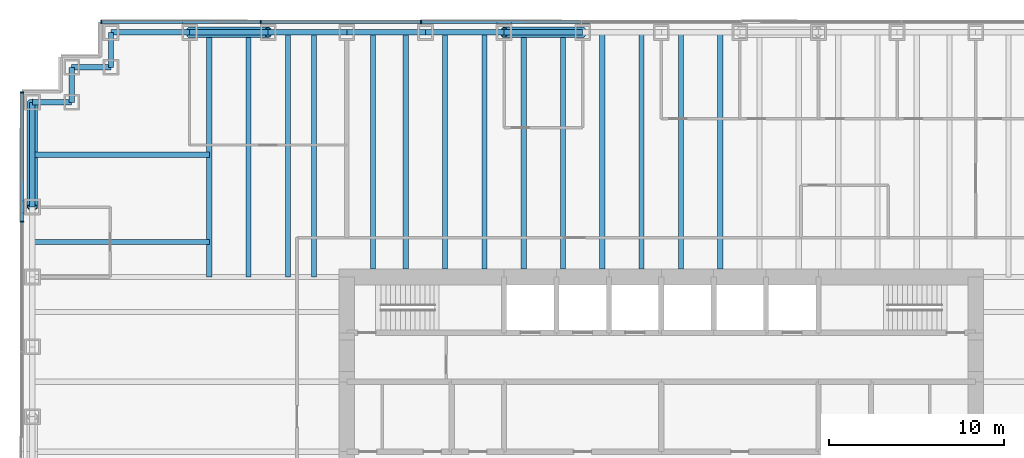
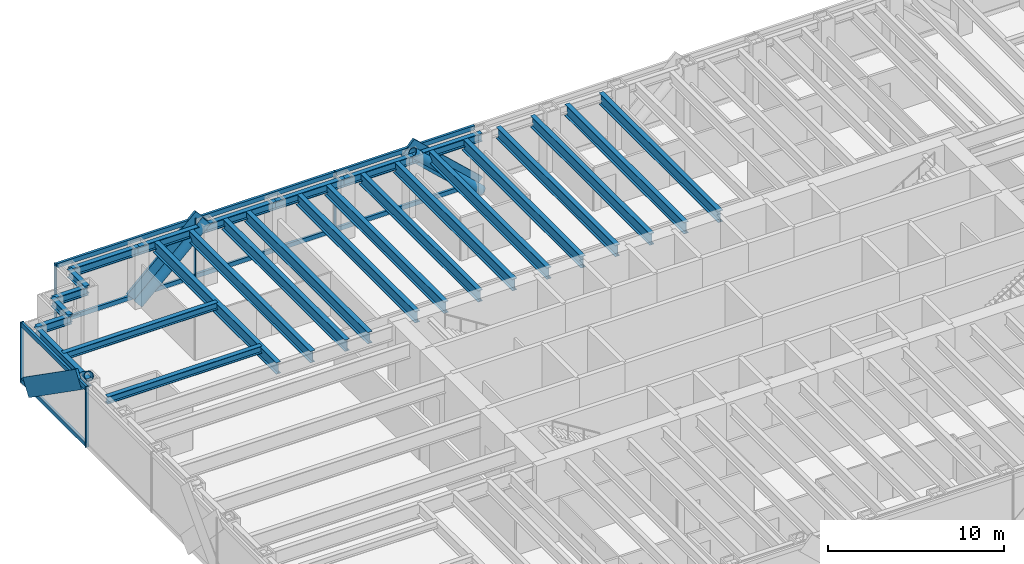
# One storey, part 6 of 17: 27 beams, 19 members, 2 elements without a shape of their own.
"""IFC4 building model written with IfcOpenShell, lengths in metres."""

from ifc_helpers import new_model, si_unit, direction, frame, origin, origin_2d, place, context, subcontext, project, spatial, rectangle, hollow_circle, i_section, extrude, material, material_profile, profile_set, type_object, element, aggregate, save


model = new_model("IFC4")

# Units and contexts
model_context = context("Model", 3, precision=1e-05, world=origin(), true_north=direction((0.0, 1.0)))
body_context = subcontext(model_context, "Body", "Model", "MODEL_VIEW")
ifc_project = project(units=[si_unit("LENGTHUNIT", "METRE"), si_unit("AREAUNIT", "SQUARE_METRE"), si_unit("VOLUMEUNIT", "CUBIC_METRE"), si_unit("PLANEANGLEUNIT", "RADIAN"), si_unit("MASSUNIT", "GRAM", prefix="KILO")], contexts=[model_context])

# Site, building, storey
site_placement = place(None, origin())
site = spatial("IfcSite", under=ifc_project, at=site_placement, CompositionType="ELEMENT")
building_placement = place(site_placement, origin())
building = spatial("IfcBuilding", under=site, at=building_placement, Name="Rheinbord Bourse Tower", CompositionType="ELEMENT")
storey_placement = place(building_placement, frame((0.0, 0.0, 159.300048828125)))
storey = spatial("IfcBuildingStorey", under=building, at=storey_placement, Name="L35", CompositionType="ELEMENT", Elevation=159.300048828125)

# Curtain wall, members
ifc_material_1 = material(Name="Dark glass and black aluminium", Category="aluminium")
curtain_wall_type = type_object("IfcCurtainWallType", Name="CW2 DARK GLASS CURTAIN WALL", PredefinedType="USERDEFINED", material=ifc_material_1)
curtain_wall_1_placement = place(storey_placement, origin())
curtain_wall_1 = element("IfcCurtainWall", 1, at=curtain_wall_1_placement, inside=storey, type_object=curtain_wall_type, Name="Curtain wall CW2 N L35", ObjectType="UNITISED CURTAIN WALL", PredefinedType="USERDEFINED")
ifc_material_2 = material(Name="Black anodised aluminium", Category="aluminium")
ifc_material_profile_1 = material_profile(ifc_material_2, rectangle(XDim=0.159912109375, YDim=1.2099609375, at=origin_2d()), Name="CW2 DIAGONAL MULLION 1210x160")
ifc_profile_set_1 = profile_set([ifc_material_profile_1], Name="Black anodised aluminium")
member_type_1 = type_object("IfcMemberType", Name="CW2 BLACK DIAGONAL MULLION", PredefinedType="USERDEFINED", material=ifc_profile_set_1)
member_1_placement = place(storey_placement, frame((31.5, 46.60009765625, 0.0), z_axis=(-0.73105922506, 0.0, 0.682314010889), x_axis=(0.0, -1.0, 0.0)))
member_1 = element("IfcMember", 2, at=member_1_placement, type_object=member_type_1, Name="CW2 diagonal mullion b", ObjectType="DIAGONAL MULLION", PredefinedType="USERDEFINED", context=body_context, shape_type="SweptSolid", body=[
    extrude(rectangle(XDim=0.159912109375, YDim=1.2099609375, at=origin_2d()), origin(), (0.0, 0.0, 1.0), 6.155517578125),
])
member_2_placement = place(storey_placement, frame((9.0, 46.60009765625, 0.0), z_axis=(0.73105922506, 0.0, 0.682314010889), x_axis=(0.0, 1.0, 0.0)))
member_2 = element("IfcMember", 3, at=member_2_placement, type_object=member_type_1, Name="CW2 diagonal mullion d", ObjectType="DIAGONAL MULLION", PredefinedType="USERDEFINED", context=body_context, shape_type="SweptSolid", body=[
    extrude(rectangle(XDim=0.159912109375, YDim=1.2099609375, at=origin_2d()), origin(), (0.0, 0.0, 1.0), 6.155517578125),
])

# Curtain wall, member
curtain_wall_2_placement = place(storey_placement, origin())
curtain_wall_2 = element("IfcCurtainWall", 4, at=curtain_wall_2_placement, inside=storey, type_object=curtain_wall_type, Name="Curtain wall CW2 W L35", ObjectType="UNITISED CURTAIN WALL", PredefinedType="USERDEFINED")
member_3_placement = place(storey_placement, frame((-0.60009765625, 42.0, 0.0), z_axis=(0.0, -0.819235052632, 0.57345786989), x_axis=(1.0, 0.0, 0.0)))
member_3 = element("IfcMember", 5, at=member_3_placement, type_object=member_type_1, Name="CW2 diagonal mullion b", ObjectType="DIAGONAL MULLION", PredefinedType="USERDEFINED", context=body_context, shape_type="SweptSolid", body=[
    extrude(rectangle(XDim=0.159912109375, YDim=1.2099609375, at=origin_2d()), origin(), (0.0, 0.0, 1.0), 7.323974609375),
])

# Member
ifc_material_3 = material(Name="Black anodised aluminium", Category="aluminium")
ifc_material_profile_2 = material_profile(ifc_material_3, rectangle(XDim=0.219970703125, YDim=0.070068359375, at=origin_2d()), Name="CW2 MULLION 70x220")
ifc_profile_set_2 = profile_set([ifc_material_profile_2], Name="Black anodised aluminium")
member_type_2 = type_object("IfcMemberType", Name="CW2 BLACK MULLION", PredefinedType="MULLION", material=ifc_profile_set_2)
member_4_placement = place(storey_placement, frame((22.242919921875, 46.60009765625, 0.0), z_axis=(0.0, 0.0, 1.0), x_axis=(0.0, -1.0, 0.0)))
member_4 = element("IfcMember", 6, at=member_4_placement, type_object=member_type_2, Name="CW2 mullion 6", PredefinedType="MULLION", context=body_context, shape_type="SweptSolid", body=[
    extrude(rectangle(XDim=0.219970703125, YDim=0.070068359375, at=origin_2d()), origin(), (0.0, 0.0, 1.0), 4.199951171875),
])

member_5_placement = place(storey_placement, frame((13.071533203125, 46.60009765625, 0.0), z_axis=(0.0, 0.0, 1.0), x_axis=(0.0, -1.0, 0.0)))
member_5 = element("IfcMember", 7, at=member_5_placement, type_object=member_type_2, Name="CW2 mullion 7", PredefinedType="MULLION", context=body_context, shape_type="SweptSolid", body=[
    extrude(rectangle(XDim=0.219970703125, YDim=0.070068359375, at=origin_2d()), origin(), (0.0, 0.0, 1.0), 4.199951171875),
])

member_6_placement = place(storey_placement, frame((3.93505859375, 46.60009765625, 0.0), z_axis=(0.0, 0.0, 1.0), x_axis=(0.0, -1.0, 0.0)))
member_6 = element("IfcMember", 8, at=member_6_placement, type_object=member_type_2, Name="CW2 mullion 8", PredefinedType="MULLION", context=body_context, shape_type="SweptSolid", body=[
    extrude(rectangle(XDim=0.219970703125, YDim=0.070068359375, at=origin_2d()), origin(), (0.0, 0.0, 1.0), 4.199951171875),
])

member_7_placement = place(storey_placement, frame((-0.60009765625, 42.56494140625, 0.0), z_axis=(0.0, 0.0, 1.0), x_axis=(1.0, 0.0, 0.0)))
member_7 = element("IfcMember", 9, at=member_7_placement, type_object=member_type_2, Name="CW2 mullion 1", PredefinedType="MULLION", context=body_context, shape_type="SweptSolid", body=[
    extrude(rectangle(XDim=0.219970703125, YDim=0.070068359375, at=origin_2d()), origin(), (0.0, 0.0, 1.0), 4.199951171875),
])

member_8_placement = place(storey_placement, frame((-0.60009765625, 35.159912109375, 0.0), z_axis=(0.0, 0.0, 1.0), x_axis=(1.0, 0.0, 0.0)))
member_8 = element("IfcMember", 10, at=member_8_placement, type_object=member_type_2, Name="CW2 mullion 2", PredefinedType="MULLION", context=body_context, shape_type="SweptSolid", body=[
    extrude(rectangle(XDim=0.219970703125, YDim=0.070068359375, at=origin_2d()), origin(), (0.0, 0.0, 1.0), 4.199951171875),
])

ifc_material_4 = material(Name="Black anodised aluminium", Category="aluminium")
ifc_material_profile_3 = material_profile(ifc_material_4, rectangle(XDim=0.159912109375, YDim=0.300048828125, at=origin_2d()), Name="CW2 TRANSOM 300x160")
ifc_profile_set_3 = profile_set([ifc_material_profile_3], Name="Black anodised aluminium")
member_type_3 = type_object("IfcMemberType", Name="CW2 BLACK TRANSOM", PredefinedType="USERDEFINED", material=ifc_profile_set_3)
member_9_placement = place(storey_placement, frame((31.37939453125, 46.60009765625, 0.14990234375), z_axis=(-1.0, 0.0, 0.0), x_axis=(0.0, -1.0, 0.0)))
member_9 = element("IfcMember", 11, at=member_9_placement, type_object=member_type_3, Name="CW2 transom 5.1", ObjectType="TRANSOM", PredefinedType="USERDEFINED", context=body_context, shape_type="SweptSolid", body=[
    extrude(rectangle(XDim=0.159912109375, YDim=0.300048828125, at=origin_2d()), origin(), (0.0, 0.0, 1.0), 9.1015625),
])

member_10_placement = place(storey_placement, frame((31.37939453125, 46.60009765625, 4.050048828125), z_axis=(-1.0, 0.0, 0.0), x_axis=(0.0, -1.0, 0.0)))
member_10 = element("IfcMember", 12, at=member_10_placement, type_object=member_type_3, Name="CW2 transom 5.2", ObjectType="TRANSOM", PredefinedType="USERDEFINED", context=body_context, shape_type="SweptSolid", body=[
    extrude(rectangle(XDim=0.159912109375, YDim=0.300048828125, at=origin_2d()), origin(), (0.0, 0.0, 1.0), 9.1015625),
])

member_11_placement = place(storey_placement, frame((22.207763671875, 46.60009765625, 0.14990234375), z_axis=(-1.0, 0.0, 0.0), x_axis=(0.0, -1.0, 0.0)))
member_11 = element("IfcMember", 13, at=member_11_placement, type_object=member_type_3, Name="CW2 transom 6.1", ObjectType="TRANSOM", PredefinedType="USERDEFINED", context=body_context, shape_type="SweptSolid", body=[
    extrude(rectangle(XDim=0.159912109375, YDim=0.300048828125, at=origin_2d()), origin(), (0.0, 0.0, 1.0), 9.101318359375),
])

member_12_placement = place(storey_placement, frame((22.207763671875, 46.60009765625, 4.050048828125), z_axis=(-1.0, 0.0, 0.0), x_axis=(0.0, -1.0, 0.0)))
member_12 = element("IfcMember", 14, at=member_12_placement, type_object=member_type_3, Name="CW2 transom 6.2", ObjectType="TRANSOM", PredefinedType="USERDEFINED", context=body_context, shape_type="SweptSolid", body=[
    extrude(rectangle(XDim=0.159912109375, YDim=0.300048828125, at=origin_2d()), origin(), (0.0, 0.0, 1.0), 9.101318359375),
])

member_13_placement = place(storey_placement, frame((13.036376953125, 46.60009765625, 0.14990234375), z_axis=(-1.0, 0.0, 0.0), x_axis=(0.0, -1.0, 0.0)))
member_13 = element("IfcMember", 15, at=member_13_placement, type_object=member_type_3, Name="CW2 transom 7.1", ObjectType="TRANSOM", PredefinedType="USERDEFINED", context=body_context, shape_type="SweptSolid", body=[
    extrude(rectangle(XDim=0.159912109375, YDim=0.300048828125, at=origin_2d()), origin(), (0.0, 0.0, 1.0), 9.06640625),
])

member_14_placement = place(storey_placement, frame((13.036376953125, 46.60009765625, 4.050048828125), z_axis=(-1.0, 0.0, 0.0), x_axis=(0.0, -1.0, 0.0)))
member_14 = element("IfcMember", 16, at=member_14_placement, type_object=member_type_3, Name="CW2 transom 7.2", ObjectType="TRANSOM", PredefinedType="USERDEFINED", context=body_context, shape_type="SweptSolid", body=[
    extrude(rectangle(XDim=0.159912109375, YDim=0.300048828125, at=origin_2d()), origin(), (0.0, 0.0, 1.0), 9.06640625),
])

aggregate(curtain_wall_1, [member_4, member_5, member_6, member_9, member_10, member_11, member_12, member_13, member_14, member_1, member_2])

member_15_placement = place(storey_placement, frame((-0.60009765625, 42.530029296875, 0.14990234375), z_axis=(0.0, -1.0, 0.0), x_axis=(1.0, 0.0, 0.0)))
member_15 = element("IfcMember", 17, at=member_15_placement, type_object=member_type_3, Name="CW2 transom 1.1", ObjectType="TRANSOM", PredefinedType="USERDEFINED", context=body_context, shape_type="SweptSolid", body=[
    extrude(rectangle(XDim=0.159912109375, YDim=0.300048828125, at=origin_2d()), origin(), (0.0, 0.0, 1.0), 7.3349609375),
])

member_16_placement = place(storey_placement, frame((-0.60009765625, 42.530029296875, 4.050048828125), z_axis=(0.0, -1.0, 0.0), x_axis=(1.0, 0.0, 0.0)))
member_16 = element("IfcMember", 18, at=member_16_placement, type_object=member_type_3, Name="CW2 transom 1.2", ObjectType="TRANSOM", PredefinedType="USERDEFINED", context=body_context, shape_type="SweptSolid", body=[
    extrude(rectangle(XDim=0.159912109375, YDim=0.300048828125, at=origin_2d()), origin(), (0.0, 0.0, 1.0), 7.3349609375),
])

aggregate(curtain_wall_2, [member_7, member_8, member_15, member_16, member_3])

# Beams
ifc_material_5 = material(Name="Steel S460", Category="steel")
ifc_material_profile_4 = material_profile(ifc_material_5, i_section(OverallWidth=0.300048828125, OverallDepth=0.800048828125, WebThickness=0.017578125, FlangeThickness=0.032958984375, at=origin_2d()), Name="HEB 800")
ifc_profile_set_4 = profile_set([ifc_material_profile_4], Name="Steel S460")
beam_type_1 = type_object("IfcBeamType", Name="FLOOR BEAM HEB 800", PredefinedType="BEAM", material=ifc_profile_set_4)
for number, where, z_axis, x_axis, name in (
    (19, (10.125, 46.0, 3.639892578125), (0.0, -1.0, 0.0), (1.0, 0.0, 0.0), "Floor beam N-9a L36"),
    (20, (12.375, 46.0, 3.639892578125), (0.0, -1.0, 0.0), (1.0, 0.0, 0.0), "Floor beam N-9b L36"),
    (21, (14.625, 46.0, 3.639892578125), (0.0, -1.0, 0.0), (1.0, 0.0, 0.0), "Floor beam N-13.5a L36"),
    (22, (16.125, 46.0, 3.639892578125), (0.0, -1.0, 0.0), (1.0, 0.0, 0.0), "Floor beam N-13.5b L36"),
):
    element("IfcBeam", number, at=place(storey_placement, frame(where, z_axis=z_axis, x_axis=x_axis)), inside=storey, type_object=beam_type_1, Name=name, PredefinedType="BEAM", context=body_context, shape_type="SweptSolid", body=[
        extrude(i_section(OverallWidth=0.300048828125, OverallDepth=0.800048828125, WebThickness=0.017578125, FlangeThickness=0.032958984375, at=origin_2d()), origin(), (0.0, 0.0, 1.0), 14.0),
    ])
for number, where, z_axis, x_axis, name in (
    (23, (19.5, 46.0, 3.639892578125), (0.0, -1.0, 0.0), (1.0, 0.0, 0.0), "Floor beam N-18a L36"),
    (24, (21.375, 46.0, 3.639892578125), (0.0, -1.0, 0.0), (1.0, 0.0, 0.0), "Floor beam N-18b L36"),
    (25, (23.625, 46.0, 3.639892578125), (0.0, -1.0, 0.0), (1.0, 0.0, 0.0), "Floor beam N-22.5a L36"),
    (26, (25.875, 46.0, 3.639892578125), (0.0, -1.0, 0.0), (1.0, 0.0, 0.0), "Floor beam N-22.5b L36"),
    (27, (28.125, 46.0, 3.639892578125), (0.0, -1.0, 0.0), (1.0, 0.0, 0.0), "Floor beam N-27a L36"),
    (28, (30.375, 46.0, 3.639892578125), (0.0, -1.0, 0.0), (1.0, 0.0, 0.0), "Floor beam N-27b L36"),
    (29, (32.625, 46.0, 3.639892578125), (0.0, -1.0, 0.0), (1.0, 0.0, 0.0), "Floor beam N-31.5a L36"),
    (30, (34.875, 46.0, 3.639892578125), (0.0, -1.0, 0.0), (1.0, 0.0, 0.0), "Floor beam N-31.5b L36"),
    (31, (37.125, 46.0, 3.639892578125), (0.0, -1.0, 0.0), (1.0, 0.0, 0.0), "Floor beam N-36a L36"),
    (32, (39.375, 46.0, 3.639892578125), (0.0, -1.0, 0.0), (1.0, 0.0, 0.0), "Floor beam N-36b L36"),
):
    element("IfcBeam", number, at=place(storey_placement, frame(where, z_axis=z_axis, x_axis=x_axis)), inside=storey, type_object=beam_type_1, Name=name, PredefinedType="BEAM", context=body_context, shape_type="SweptSolid", body=[
        extrude(i_section(OverallWidth=0.300048828125, OverallDepth=0.800048828125, WebThickness=0.017578125, FlangeThickness=0.032958984375, at=origin_2d()), origin(), (0.0, 0.0, 1.0), 13.550048828125),
    ])

# Members
ifc_material_6 = material(Name="Steel S460", Category="steel")
ifc_material_profile_5 = material_profile(ifc_material_6, hollow_circle(Radius=0.304931640625, WallThickness=0.0400390625, at=origin_2d()), Name="CHS 610x40")
ifc_profile_set_5 = profile_set([ifc_material_profile_5], Name="Steel S460")
member_type_4 = type_object("IfcMemberType", Name="MEGABRACE CHS 610x40", PredefinedType="BRACE", material=ifc_profile_set_5)
for number, where, z_axis, x_axis, name in (
    (33, (31.5, 46.0, 0.0), (-0.73105922506, 0.0, 0.682314010889), (0.0, -1.0, 0.0), "Megabrace N face line b L35"),
    (34, (9.0, 46.0, 0.0), (0.73105922506, 0.0, 0.682314010889), (0.0, 1.0, 0.0), "Megabrace N face line d L35"),
):
    element("IfcMember", number, at=place(storey_placement, frame(where, z_axis=z_axis, x_axis=x_axis)), inside=storey, type_object=member_type_4, Name=name, PredefinedType="BRACE", context=body_context, shape_type="SweptSolid", body=[
        extrude(hollow_circle(Radius=0.304931640625, WallThickness=0.0400390625, at=origin_2d()), origin(), (0.0, 0.0, 1.0), 6.155517578125),
    ])
member_17_placement = place(storey_placement, frame((0.0, 42.0, 0.0), z_axis=(0.0, -0.819235052632, 0.57345786989), x_axis=(1.0, 0.0, 0.0)))
element("IfcMember", 35, at=member_17_placement, inside=storey, type_object=member_type_4, Name="Megabrace W face line b L35", PredefinedType="BRACE", context=body_context, shape_type="SweptSolid", body=[
    extrude(hollow_circle(Radius=0.304931640625, WallThickness=0.0400390625, at=origin_2d()), origin(), (0.0, 0.0, 1.0), 7.323974609375),
])

# Beams
ifc_material_7 = material(Name="Steel S460", Category="steel")
ifc_material_profile_6 = material_profile(ifc_material_7, i_section(OverallWidth=0.305908203125, OverallDepth=0.572021484375, WebThickness=0.02099609375, FlangeThickness=0.0400390625, at=origin_2d()), Name="HEM 550")
ifc_profile_set_6 = profile_set([ifc_material_profile_6], Name="Steel S460")
beam_type_2 = type_object("IfcBeamType", Name="SPANDREL HEM 550", PredefinedType="SPANDREL", material=ifc_profile_set_6)
for number, where, z_axis, x_axis, name in (
    (36, (31.5, 46.0, 3.75390625), (-1.0, 0.0, 0.0), (0.0, -1.0, 0.0), "Spandrel N-31.5-N-27 under L36"),
    (37, (27.0, 46.0, 3.75390625), (-1.0, 0.0, 0.0), (0.0, -1.0, 0.0), "Spandrel N-27-N-22.5 under L36"),
    (38, (22.5, 46.0, 3.75390625), (-1.0, 0.0, 0.0), (0.0, -1.0, 0.0), "Spandrel N-22.5-N-18 under L36"),
    (39, (18.0, 46.0, 3.75390625), (-1.0, 0.0, 0.0), (0.0, -1.0, 0.0), "Spandrel N-18-N-13.5 under L36"),
    (40, (13.5, 46.0, 3.75390625), (-1.0, 0.0, 0.0), (0.0, -1.0, 0.0), "Spandrel N-13.5-N-9 under L36"),
    (41, (9.0, 46.0, 3.75390625), (-1.0, 0.0, 0.0), (0.0, -1.0, 0.0), "Spandrel N-9-NW-E under L36"),
):
    element("IfcBeam", number, at=place(storey_placement, frame(where, z_axis=z_axis, x_axis=x_axis)), inside=storey, type_object=beam_type_2, Name=name, PredefinedType="SPANDREL", context=body_context, shape_type="SweptSolid", body=[
        extrude(i_section(OverallWidth=0.305908203125, OverallDepth=0.572021484375, WebThickness=0.02099609375, FlangeThickness=0.0400390625, at=origin_2d()), origin(), (0.0, 0.0, 1.0), 4.5),
    ])
beam_1_placement = place(storey_placement, frame((4.5, 46.0, 3.75390625), z_axis=(0.0, -1.0, 0.0), x_axis=(1.0, 0.0, 0.0)))
element("IfcBeam", 42, at=beam_1_placement, inside=storey, type_object=beam_type_2, Name="Spandrel NW-E-NW-D under L36", PredefinedType="SPANDREL", context=body_context, shape_type="SweptSolid", body=[
    extrude(i_section(OverallWidth=0.305908203125, OverallDepth=0.572021484375, WebThickness=0.02099609375, FlangeThickness=0.0400390625, at=origin_2d()), origin(), (0.0, 0.0, 1.0), 2.0),
])
beam_2_placement = place(storey_placement, frame((4.5, 44.0, 3.75390625), z_axis=(-1.0, 0.0, 0.0), x_axis=(0.0, -1.0, 0.0)))
element("IfcBeam", 43, at=beam_2_placement, inside=storey, type_object=beam_type_2, Name="Spandrel NW-D-NW-C under L36", PredefinedType="SPANDREL", context=body_context, shape_type="SweptSolid", body=[
    extrude(i_section(OverallWidth=0.305908203125, OverallDepth=0.572021484375, WebThickness=0.02099609375, FlangeThickness=0.0400390625, at=origin_2d()), origin(), (0.0, 0.0, 1.0), 2.25),
])
beam_3_placement = place(storey_placement, frame((2.25, 44.0, 3.75390625), z_axis=(0.0, -1.0, 0.0), x_axis=(1.0, 0.0, 0.0)))
element("IfcBeam", 44, at=beam_3_placement, inside=storey, type_object=beam_type_2, Name="Spandrel NW-C-NW-B under L36", PredefinedType="SPANDREL", context=body_context, shape_type="SweptSolid", body=[
    extrude(i_section(OverallWidth=0.305908203125, OverallDepth=0.572021484375, WebThickness=0.02099609375, FlangeThickness=0.0400390625, at=origin_2d()), origin(), (0.0, 0.0, 1.0), 2.0),
])
beam_4_placement = place(storey_placement, frame((2.25, 42.0, 3.75390625), z_axis=(-1.0, 0.0, 0.0), x_axis=(0.0, -1.0, 0.0)))
element("IfcBeam", 45, at=beam_4_placement, inside=storey, type_object=beam_type_2, Name="Spandrel NW-B-NW-A under L36", PredefinedType="SPANDREL", context=body_context, shape_type="SweptSolid", body=[
    extrude(i_section(OverallWidth=0.305908203125, OverallDepth=0.572021484375, WebThickness=0.02099609375, FlangeThickness=0.0400390625, at=origin_2d()), origin(), (0.0, 0.0, 1.0), 2.25),
])
beam_5_placement = place(storey_placement, frame((0.0, 42.0, 3.75390625), z_axis=(0.0, -1.0, 0.0), x_axis=(1.0, 0.0, 0.0)))
element("IfcBeam", 46, at=beam_5_placement, inside=storey, type_object=beam_type_2, Name="Spandrel NW-A-W-36 under L36", PredefinedType="SPANDREL", context=body_context, shape_type="SweptSolid", body=[
    extrude(i_section(OverallWidth=0.305908203125, OverallDepth=0.572021484375, WebThickness=0.02099609375, FlangeThickness=0.0400390625, at=origin_2d()), origin(), (0.0, 0.0, 1.0), 6.0),
])
ifc_material_8 = material(Name="Steel S460", Category="steel")
ifc_material_profile_7 = material_profile(ifc_material_8, i_section(OverallWidth=0.300048828125, OverallDepth=0.5, WebThickness=0.014404296875, FlangeThickness=0.028076171875, at=origin_2d()), Name="HEB 500")
ifc_profile_set_7 = profile_set([ifc_material_profile_7], Name="Steel S460")
beam_type_3 = type_object("IfcBeamType", Name="TIE BEAM HEB 500", PredefinedType="JOIST", material=ifc_profile_set_7)
for number, where, z_axis, x_axis, name in (
    (47, (0.0, 34.0, 3.7900390625), (1.0, 0.0, 0.0), (0.0, 1.0, 0.0), "Tie west 34 L36"),
    (48, (0.0, 39.0, 3.7900390625), (1.0, 0.0, 0.0), (0.0, 1.0, 0.0), "Tie west 39 L36"),
):
    element("IfcBeam", number, at=place(storey_placement, frame(where, z_axis=z_axis, x_axis=x_axis)), inside=storey, type_object=beam_type_3, Name=name, PredefinedType="JOIST", context=body_context, shape_type="SweptSolid", body=[
        extrude(i_section(OverallWidth=0.300048828125, OverallDepth=0.5, WebThickness=0.014404296875, FlangeThickness=0.028076171875, at=origin_2d()), origin(), (0.0, 0.0, 1.0), 10.125),
    ])

save(model, "model.ifc")
